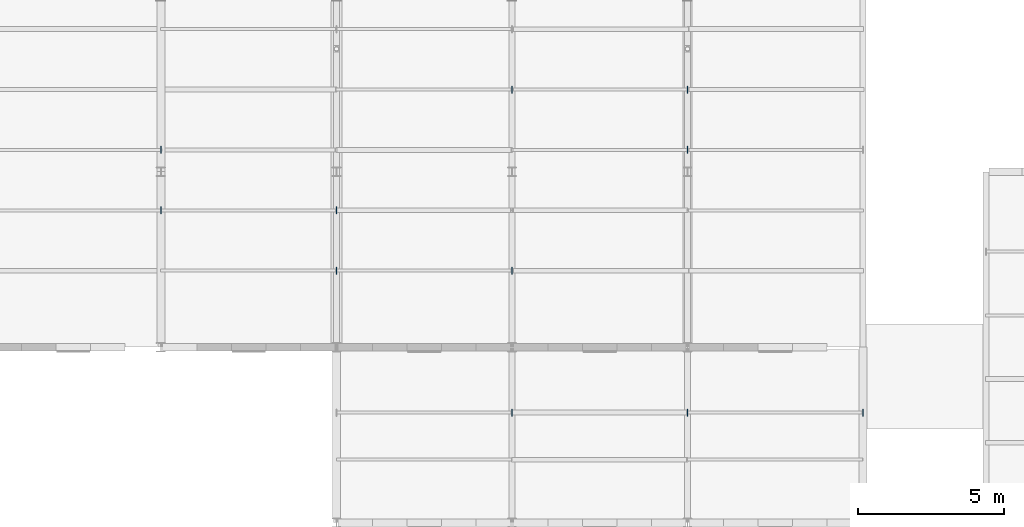
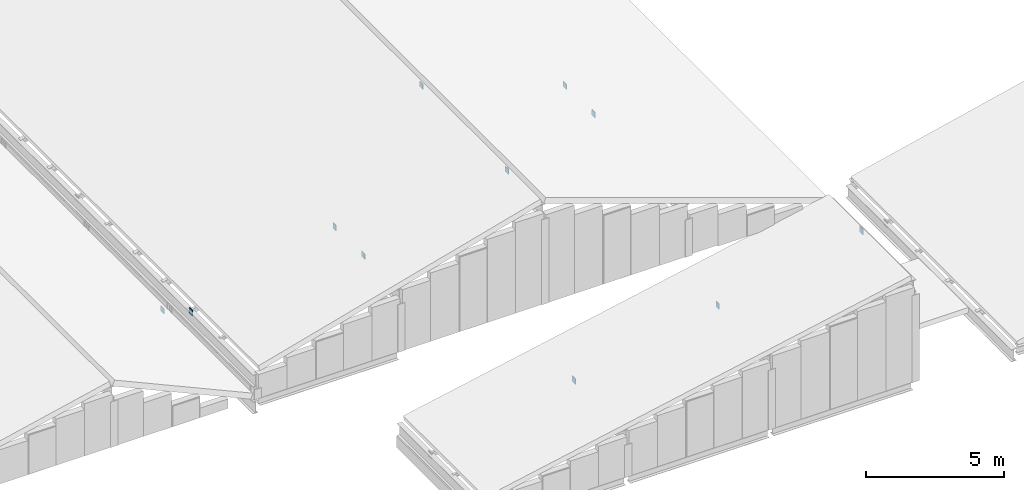
# One storey, part 50 of 74: 11 plates.
"""IFC4 building model written with IfcOpenShell, lengths in metres."""

from ifc_helpers import new_model, si_unit, direction, frame, origin, origin_2d, place, context, subcontext, project, spatial, rectangle, extrude, material, layer, layer_set, type_object, element, save


model = new_model("IFC4")

# Units and contexts
model_context = context("Model", 3, precision=1e-05, world=origin(), true_north=direction((0.0, 1.0)))
body_context = subcontext(model_context, "Body", "Model", "MODEL_VIEW")
ifc_project = project(units=[si_unit("LENGTHUNIT", "METRE"), si_unit("AREAUNIT", "SQUARE_METRE"), si_unit("VOLUMEUNIT", "CUBIC_METRE"), si_unit("PLANEANGLEUNIT", "RADIAN"), si_unit("MASSUNIT", "GRAM", prefix="KILO")], contexts=[model_context])

# Site, building, storey
site_placement = place(None, origin())
site = spatial("IfcSite", under=ifc_project, at=site_placement, CompositionType="ELEMENT")
building_placement = place(site_placement, origin())
building = spatial("IfcBuilding", under=site, at=building_placement, Name="Siltcreek Boulevard Central Fire Station", CompositionType="ELEMENT")
storey_placement = place(building_placement, frame((0.0, 0.0, 25.199951171875)))
storey = spatial("IfcBuildingStorey", under=building, at=storey_placement, Name="RF", CompositionType="ELEMENT", Elevation=25.199951171875)

# Plates
ifc_material = material(Name="Structural steel ASTM A572 Gr50", Category="steel")
ifc_layer = layer(ifc_material, 0.02490234375, Name="Structural steel ASTM A572 Gr50")
ifc_layer_set = layer_set([ifc_layer], Name="Structural steel ASTM A572 Gr50")
plate_type = type_object("IfcPlateType", Name="PL_CAP25", PredefinedType="USERDEFINED", material=ifc_layer_set)
for number, where, z_axis, x_axis, name in (
    (1, (83.99951171875, 30.742919921875, -11.5673828125), (0.0, 0.0, 1.0), (1.0, 0.0, 0.0), "Sloped roof purlin PR-0103 sealed end cap 2"),
    (2, (84.0, 28.6787109375, -10.39697265625), (0.0, 0.0, 1.0), (1.0, 0.0, 0.0), "Sloped roof purlin PR-0115 sealed end cap 1"),
    (3, (90.0, 28.6787109375, -8.7470703125), (0.0, 0.0, 1.0), (1.0, 0.0, 0.0), "Sloped roof purlin PR-0115 sealed end cap 2"),
    (4, (90.0, 26.6142578125, -8.7470703125), (0.0, 0.0, 1.0), (1.0, 0.0, 0.0), "Sloped roof purlin PR-0127 sealed end cap 1"),
    (5, (96.0, 26.6142578125, -7.09716796875), (0.0, 0.0, 1.0), (1.0, 0.0, 0.0), "Sloped roof purlin PR-0127 sealed end cap 2"),
    (6, (96.0, 32.80712890625, -7.10498046875), (0.0, 0.0, 1.0), (1.0, 0.0, 0.0), "Sloped roof purlin PR-0143 sealed end cap 1"),
    (7, (102.0, 32.80712890625, -9.20458984375), (0.0, 0.0, 1.0), (1.0, 0.0, 0.0), "Sloped roof purlin PR-0143 sealed end cap 2"),
    (8, (102.0, 30.742919921875, -9.20458984375), (0.0, 0.0, 1.0), (1.0, 0.0, 0.0), "Sloped roof purlin PR-0155 sealed end cap 1"),
    (9, (96.000244140625, 21.76318359375, -13.42041015625), (0.0, 0.0, 1.0), (1.0, 0.0, 0.0), "Sloped roof purlin PR-0167 sealed end cap 2"),
    (10, (101.999755859375, 21.76318359375, -12.220703125), (0.0, 0.0, 1.0), (1.0, 0.0, 0.0), "Sloped roof purlin PR-0171 sealed end cap 1"),
    (11, (108.000244140625, 21.76318359375, -11.0205078125), (0.0, 0.0, 1.0), (1.0, 0.0, 0.0), "Sloped roof purlin PR-0171 sealed end cap 2"),
):
    element("IfcPlate", number, at=place(storey_placement, frame(where, z_axis=z_axis, x_axis=x_axis)), inside=storey, type_object=plate_type, Name=name, ObjectType="END CAP", PredefinedType="USERDEFINED", context=body_context, shape_type="SweptSolid", body=[
        extrude(rectangle(XDim=0.02490234375, YDim=0.239990234375, at=origin_2d()), origin(), (0.0, 0.0, 1.0), 0.239990234375),
    ])

save(model, "model.ifc")
